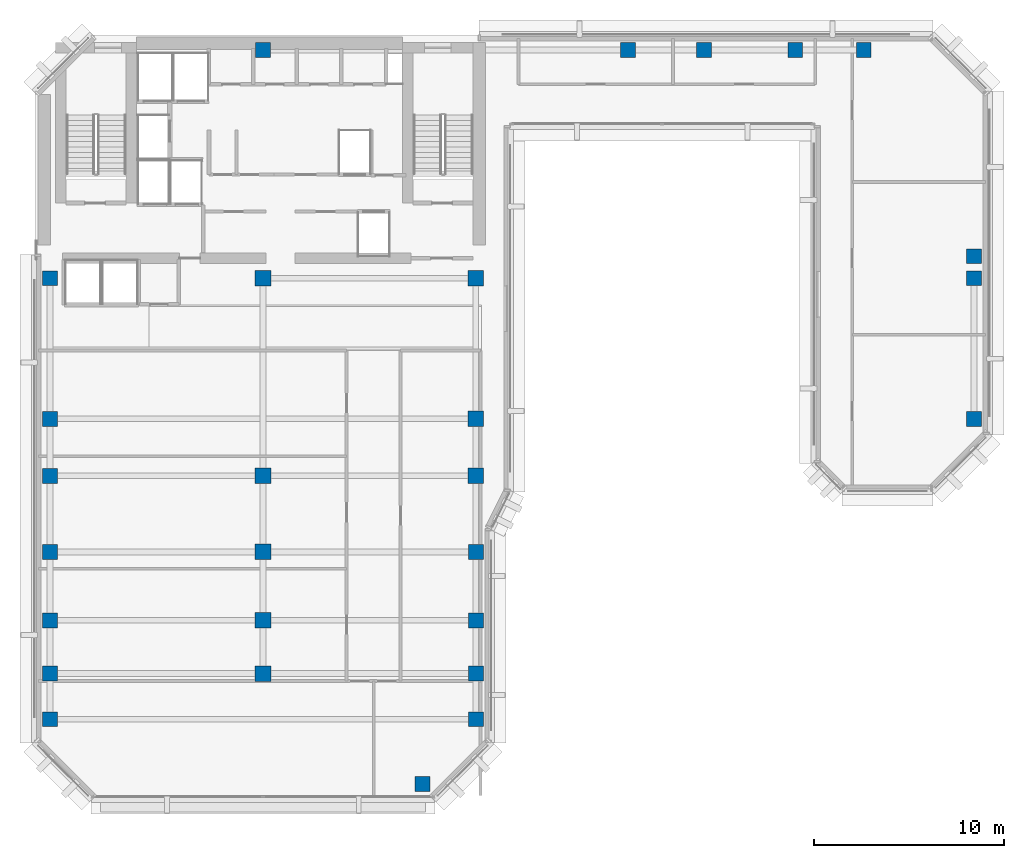
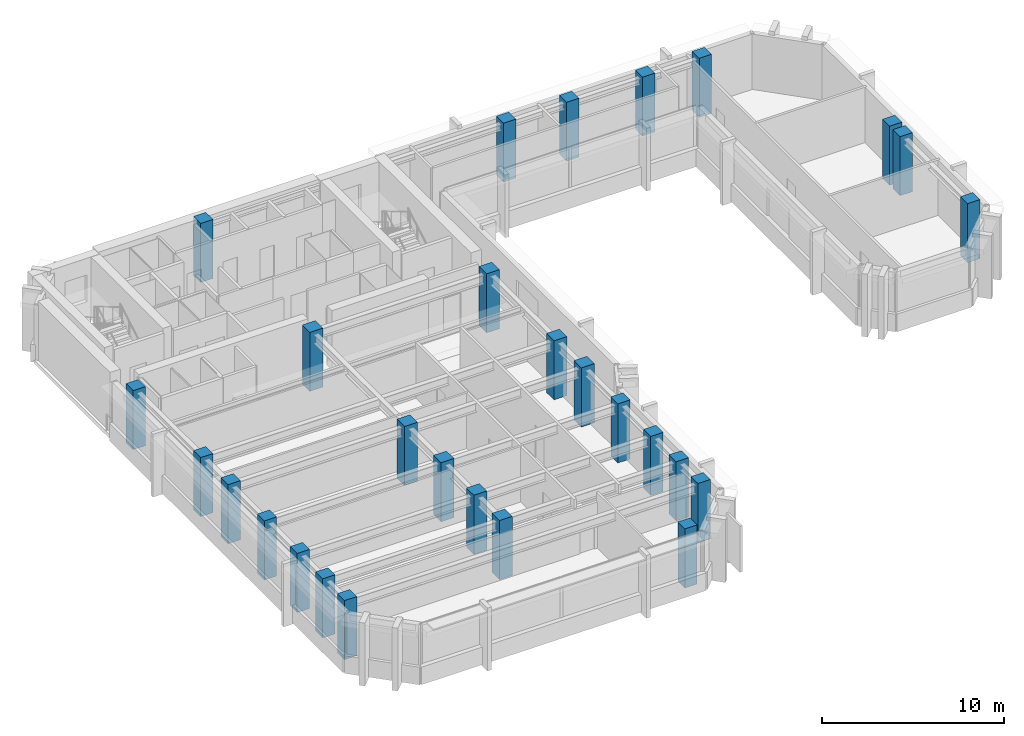
# One storey, part 1 of 11: 28 columns.
"""IFC4 building model written with IfcOpenShell, lengths in metres."""

import ifcopenshell
import ifcopenshell.guid

model = None  # the IFC model being written
_history = None  # IfcOwnerHistory: only IFC2X3 demands one
_inside = {}  # id of a spatial element -> (the spatial element, [elements in it])
_under = {}  # id of a project, library or spatial element -> (it, [spatial elements below it])
_declared = {}  # id of a project -> (the project, [libraries it declares])
_typed = {}  # id of a type object -> (the type object, [elements of that type])
_made_of = {}  # id of a material, layer set ... -> (it, [elements and type objects made of it])


def new_model(schema):
    """Start an empty IFC model of exactly this schema.

    Asked for "IFC4X3", IfcOpenShell would pick the latest addendum, in which some entities
    have other attributes; the version numbers below select the first issue.
    IFC2X3 requires an IfcOwnerHistory on every rooted entity: one is made here for all.
    """
    global model, _history
    if schema == "IFC4X3":
        model = ifcopenshell.file(schema_version=(4, 3, 0, 0))
    else:
        model = ifcopenshell.file(schema=schema)
    _inside.clear()
    _under.clear()
    _declared.clear()
    _typed.clear()
    _made_of.clear()
    _history = None
    if model.schema == "IFC2X3":
        org = make("IfcOrganization", Name="unknown")
        user = make(
            "IfcPersonAndOrganization",
            ThePerson=make("IfcPerson", FamilyName="unknown"),
            TheOrganization=org,
        )
        app = make(
            "IfcApplication",
            ApplicationDeveloper=org,
            Version="unknown",
            ApplicationFullName="unknown",
            ApplicationIdentifier="unknown",
        )
        _history = make(
            "IfcOwnerHistory",
            OwningUser=user,
            OwningApplication=app,
            ChangeAction="ADDED",
            CreationDate=0,
        )
    return model


def make(cls, **values):
    """One entity of the class cls with the attributes given. An attribute that is None is left unset."""
    return model.create_entity(
        cls, **{name: value for name, value in values.items() if value is not None}
    )


def rooted(cls, **values):
    """An entity with a GlobalId (a new one), such as an element, a storey or a relation."""
    return make(cls, GlobalId=ifcopenshell.guid.new(), OwnerHistory=_history, **values)


def si_unit(unit_type, name, prefix=None):
    """IfcSIUnit, for example si_unit("LENGTHUNIT", "METRE", prefix="MILLI")."""
    return make("IfcSIUnit", UnitType=unit_type, Prefix=prefix, Name=name)


def assignment(units):
    """IfcUnitAssignment: the units of a project."""
    return None if units is None else make("IfcUnitAssignment", Units=units)


def point(xyz):
    """IfcCartesianPoint."""
    return None if xyz is None else make("IfcCartesianPoint", Coordinates=xyz)


def direction(xyz):
    """IfcDirection."""
    return None if xyz is None else make("IfcDirection", DirectionRatios=xyz)


def frame(location, z_axis=None, x_axis=None):
    """IfcAxis2Placement3D, a coordinate frame: its origin and axes. An axis left out is left unset."""
    return make(
        "IfcAxis2Placement3D",
        Location=point(location),
        Axis=direction(z_axis),
        RefDirection=direction(x_axis),
    )


def frame_2d(location, x_axis=None):
    """IfcAxis2Placement2D, a coordinate frame in the plane: its origin and x axis."""
    return make(
        "IfcAxis2Placement2D", Location=point(location), RefDirection=direction(x_axis)
    )


def origin():
    """The frame at (0, 0, 0) with its axes left unset."""
    return frame((0.0, 0.0, 0.0))


def origin_2d():
    """The frame at (0, 0) in the plane with its x axis left unset."""
    return frame_2d((0.0, 0.0))


def place(relative_to, where):
    """IfcLocalPlacement: puts the frame where relative to a parent placement (None: the world)."""
    return make(
        "IfcLocalPlacement", PlacementRelTo=relative_to, RelativePlacement=where
    )


def context(
    kind, dimensions, precision=None, world=None, true_north=None, identifier=None
):
    """IfcGeometricRepresentationContext, for example the 3D "Model" context."""
    return make(
        "IfcGeometricRepresentationContext",
        ContextIdentifier=identifier,
        ContextType=kind,
        CoordinateSpaceDimension=dimensions,
        Precision=precision,
        WorldCoordinateSystem=world,
        TrueNorth=true_north,
    )


def subcontext(parent, identifier, kind, view, scale=None):
    """IfcGeometricRepresentationSubContext, for example "Body" below "Model"."""
    return make(
        "IfcGeometricRepresentationSubContext",
        ContextIdentifier=identifier,
        ContextType=kind,
        ParentContext=parent,
        TargetScale=scale,
        TargetView=view,
    )


def project(units=None, contexts=None):
    """IfcProject with its units and contexts."""
    return rooted(
        "IfcProject",
        Name="project",
        RepresentationContexts=contexts,
        UnitsInContext=assignment(units),
    )


def spatial(cls, under=None, at=None, **own):
    """A site, building, storey or space (cls), placed at a placement, below another one or the project."""
    s = rooted(cls, ObjectPlacement=at, **own)
    if under is not None:
        _under.setdefault(under.id(), (under, []))[1].append(s)
    return s


def profile(cls, at=None, kind="AREA", **sizes):
    """A parametric profile (cls). Its sizes go by their IFC names, for example OverallWidth=200.0."""
    return make(cls, ProfileType=kind, Position=at, **sizes)


def rectangle(**sizes):
    """IfcRectangleProfileDef."""
    return profile("IfcRectangleProfileDef", **sizes)


def extrude(swept, where, along, depth):
    """IfcExtrudedAreaSolid: the profile swept, set in the frame where, extruded along a direction by depth."""
    return make(
        "IfcExtrudedAreaSolid",
        SweptArea=swept,
        Position=where,
        ExtrudedDirection=direction(along),
        Depth=depth,
    )


def shape(context_of_items, identifier, shape_type, items):
    """IfcShapeRepresentation: the items that make up one representation, for example the "Body"."""
    return make(
        "IfcShapeRepresentation",
        ContextOfItems=context_of_items,
        RepresentationIdentifier=identifier,
        RepresentationType=shape_type,
        Items=items,
    )


def material(Name=None, Category=None):
    """IfcMaterial."""
    return make("IfcMaterial", Name=Name, Category=Category)


def material_profile(
    of_material, cross_section, Name=None, Category=None, Priority=None
):
    """IfcMaterialProfile: a cross section and its material."""
    return make(
        "IfcMaterialProfile",
        Name=Name,
        Material=of_material,
        Profile=cross_section,
        Priority=Priority,
        Category=Category,
    )


def profile_set(profiles, Name=None, composite=None):
    """IfcMaterialProfileSet."""
    return make(
        "IfcMaterialProfileSet",
        Name=Name,
        MaterialProfiles=profiles,
        CompositeProfile=composite,
    )


def made_of(thing, what):
    """Note that an element or type object is made of a material, layer set ...; save() writes the relation."""
    if what is not None:
        _made_of.setdefault(what.id(), (what, []))[1].append(thing)
    return thing


def type_object(cls, material=None, **own):
    """A type object (cls), such as IfcWallType, which elements share."""
    return made_of(rooted(cls, **own), material)


def element(
    cls,
    number,
    at=None,
    inside=None,
    cuts=None,
    type_object=None,
    material=None,
    context=None,
    identifier="Body",
    shape_type=None,
    held_by="IfcProductDefinitionShape",
    body=None,
    shapes=None,
    **own,
):
    """One element of the class cls, such as IfcWall. Its Tag is "e" and its number.

    at: its placement. inside: the storey or other place that contains it. cuts: it is an
    opening in that element (IfcRelVoidsElement). A single representation is given by context,
    identifier, shape_type and body (its items); several are given by shapes. held_by: the class
    of the entity that holds the representations. save() writes the other relations.
    """
    e = rooted(cls, Tag="e%d" % number, ObjectPlacement=at, **own)
    if body is not None:
        shapes = [shape(context, identifier, shape_type, body)]
    if shapes is not None:
        e.Representation = make(held_by, Representations=shapes)
    if inside is not None:
        _inside.setdefault(inside.id(), (inside, []))[1].append(e)
    if cuts is not None:
        rooted(
            "IfcRelVoidsElement", RelatingBuildingElement=cuts, RelatedOpeningElement=e
        )
    if type_object is not None:
        _typed.setdefault(type_object.id(), (type_object, []))[1].append(e)
    return made_of(e, material)


def aggregate(whole, parts):
    """IfcRelAggregates: a whole, such as a stair, and the parts it consists of."""
    return rooted("IfcRelAggregates", RelatingObject=whole, RelatedObjects=parts)


def save(model, path):
    """Write the relations noted so far, then the file.

    IfcRelAggregates (storeys below a building ...), IfcRelContainedInSpatialStructure (elements
    in a storey), IfcRelDefinesByType, IfcRelAssociatesMaterial and IfcRelDeclares: one each for
    every whole, place, type object, material and project.
    """
    for whole, parts in _under.values():
        aggregate(whole, parts)
    for where, things in _inside.values():
        rooted(
            "IfcRelContainedInSpatialStructure",
            RelatedElements=things,
            RelatingStructure=where,
        )
    for kind, things in _typed.values():
        rooted("IfcRelDefinesByType", RelatedObjects=things, RelatingType=kind)
    for what, things in _made_of.values():
        rooted("IfcRelAssociatesMaterial", RelatedObjects=things, RelatingMaterial=what)
    for by, libraries in _declared.values():
        rooted("IfcRelDeclares", RelatingContext=by, RelatedDefinitions=libraries)
    model.write(path)


model = new_model("IFC4")

# Units and contexts
model_context = context("Model", 3, precision=1e-05, world=origin(), true_north=direction((0.0, 1.0)))
body_context = subcontext(model_context, "Body", "Model", "MODEL_VIEW")
ifc_project = project(units=[si_unit("LENGTHUNIT", "METRE"), si_unit("AREAUNIT", "SQUARE_METRE"), si_unit("VOLUMEUNIT", "CUBIC_METRE"), si_unit("PLANEANGLEUNIT", "RADIAN"), si_unit("MASSUNIT", "GRAM", prefix="KILO")], contexts=[model_context])

# Site, building, storey
site_placement = place(None, origin())
site = spatial("IfcSite", under=ifc_project, at=site_placement, CompositionType="ELEMENT")
building_placement = place(site_placement, origin())
building = spatial("IfcBuilding", under=site, at=building_placement, Name="Kefirva Bronze Tower", CompositionType="ELEMENT")
storey_placement = place(building_placement, frame((0.0, 0.0, 219.780029296875)))
storey = spatial("IfcBuildingStorey", under=building, at=storey_placement, Name="L53", CompositionType="ELEMENT", Elevation=219.780029296875)

# Columns
ifc_material = material(Name="Concrete C50/60", Category="concrete")
ifc_material_profile_1 = material_profile(ifc_material, rectangle(XDim=0.780029296875, YDim=0.780029296875, at=origin_2d()), Name="RC 780x780")
ifc_profile_set_1 = profile_set([ifc_material_profile_1], Name="Concrete C50/60")
column_type_1 = type_object("IfcColumnType", Name="RC Column 780x780 Ext", PredefinedType="COLUMN", material=ifc_profile_set_1)
for number, where, z_axis, x_axis, name in (
    (1, (0.800048828125, 10.0, 0.0), (0.0, 0.0, 1.0), (1.0, 0.0, 0.0), "L53 Column C008_100"),
    (2, (0.800048828125, 12.39990234375, 0.0), (0.0, 0.0, 1.0), (1.0, 0.0, 0.0), "L53 Column C008_124"),
    (3, (0.800048828125, 15.199951171875, 0.0), (0.0, 0.0, 1.0), (1.0, 0.0, 0.0), "L53 Column C008_152"),
    (4, (0.800048828125, 18.800048828125, 0.0), (0.0, 0.0, 1.0), (1.0, 0.0, 0.0), "L53 Column C008_188"),
    (5, (0.800048828125, 22.800048828125, 0.0), (0.0, 0.0, 1.0), (1.0, 0.0, 0.0), "L53 Column C008_228"),
    (6, (0.800048828125, 25.800048828125, 0.0), (0.0, 0.0, 1.0), (1.0, 0.0, 0.0), "L53 Column C008_258"),
    (7, (0.800048828125, 33.199951171875, 0.0), (0.0, 0.0, 1.0), (1.0, 0.0, 0.0), "L53 Column C008_332"),
    (8, (12.0, 45.199951171875, 0.0), (0.0, 0.0, 1.0), (1.0, 0.0, 0.0), "L53 Column C120_452"),
    (9, (20.39990234375, 6.60009765625, 0.0), (0.0, 0.0, 1.0), (1.0, 0.0, 0.0), "L53 Column C204_066"),
    (10, (23.199951171875, 10.0, 0.0), (0.0, 0.0, 1.0), (1.0, 0.0, 0.0), "L53 Column C232_100"),
    (11, (23.199951171875, 12.39990234375, 0.0), (0.0, 0.0, 1.0), (1.0, 0.0, 0.0), "L53 Column C232_124"),
    (12, (23.199951171875, 15.199951171875, 0.0), (0.0, 0.0, 1.0), (1.0, 0.0, 0.0), "L53 Column C232_152"),
    (13, (23.199951171875, 18.800048828125, 0.0), (0.0, 0.0, 1.0), (1.0, 0.0, 0.0), "L53 Column C232_188"),
    (14, (31.199951171875, 45.199951171875, 0.0), (0.0, 0.0, 1.0), (1.0, 0.0, 0.0), "L53 Column C312_452"),
    (15, (35.199951171875, 45.199951171875, 0.0), (0.0, 0.0, 1.0), (1.0, 0.0, 0.0), "L53 Column C352_452"),
    (16, (40.0, 45.199951171875, 0.0), (0.0, 0.0, 1.0), (1.0, 0.0, 0.0), "L53 Column C400_452"),
    (17, (43.60009765625, 45.199951171875, 0.0), (0.0, 0.0, 1.0), (1.0, 0.0, 0.0), "L53 Column C436_452"),
    (18, (49.39990234375, 25.800048828125, 0.0), (0.0, 0.0, 1.0), (1.0, 0.0, 0.0), "L53 Column C494_258"),
    (19, (49.39990234375, 33.199951171875, 0.0), (0.0, 0.0, 1.0), (1.0, 0.0, 0.0), "L53 Column C494_332"),
    (20, (49.39990234375, 34.35009765625, 0.0), (0.0, 0.0, 1.0), (1.0, 0.0, 0.0), "L53 Column C494_344"),
):
    element("IfcColumn", number, at=place(storey_placement, frame(where, z_axis=z_axis, x_axis=x_axis)), inside=storey, type_object=column_type_1, Name=name, PredefinedType="COLUMN", context=body_context, shape_type="SweptSolid", body=[
        extrude(rectangle(XDim=0.780029296875, YDim=0.780029296875, at=origin_2d()), origin(), (0.0, 0.0, 1.0), 3.9599609375),
    ])
ifc_material_profile_2 = material_profile(ifc_material, rectangle(XDim=0.820068359375, YDim=0.820068359375, at=origin_2d()), Name="RC 820x820")
ifc_profile_set_2 = profile_set([ifc_material_profile_2], Name="Concrete C50/60")
column_type_2 = type_object("IfcColumnType", Name="RC Column 820x820 Int", PredefinedType="COLUMN", material=ifc_profile_set_2)
for number, where, z_axis, x_axis, name in (
    (21, (12.0, 12.39990234375, 0.0), (0.0, 0.0, 1.0), (1.0, 0.0, 0.0), "L53 Column C120_124"),
    (22, (12.0, 15.199951171875, 0.0), (0.0, 0.0, 1.0), (1.0, 0.0, 0.0), "L53 Column C120_152"),
    (23, (12.0, 18.800048828125, 0.0), (0.0, 0.0, 1.0), (1.0, 0.0, 0.0), "L53 Column C120_188"),
    (24, (12.0, 22.800048828125, 0.0), (0.0, 0.0, 1.0), (1.0, 0.0, 0.0), "L53 Column C120_228"),
    (25, (12.0, 33.199951171875, 0.0), (0.0, 0.0, 1.0), (1.0, 0.0, 0.0), "L53 Column C120_332"),
    (26, (23.199951171875, 22.800048828125, 0.0), (0.0, 0.0, 1.0), (1.0, 0.0, 0.0), "L53 Column C232_228"),
    (27, (23.199951171875, 25.800048828125, 0.0), (0.0, 0.0, 1.0), (1.0, 0.0, 0.0), "L53 Column C232_258"),
    (28, (23.199951171875, 33.199951171875, 0.0), (0.0, 0.0, 1.0), (1.0, 0.0, 0.0), "L53 Column C232_332"),
):
    element("IfcColumn", number, at=place(storey_placement, frame(where, z_axis=z_axis, x_axis=x_axis)), inside=storey, type_object=column_type_2, Name=name, PredefinedType="COLUMN", context=body_context, shape_type="SweptSolid", body=[
        extrude(rectangle(XDim=0.820068359375, YDim=0.820068359375, at=origin_2d()), origin(), (0.0, 0.0, 1.0), 3.9599609375),
    ])

save(model, "model.ifc")
